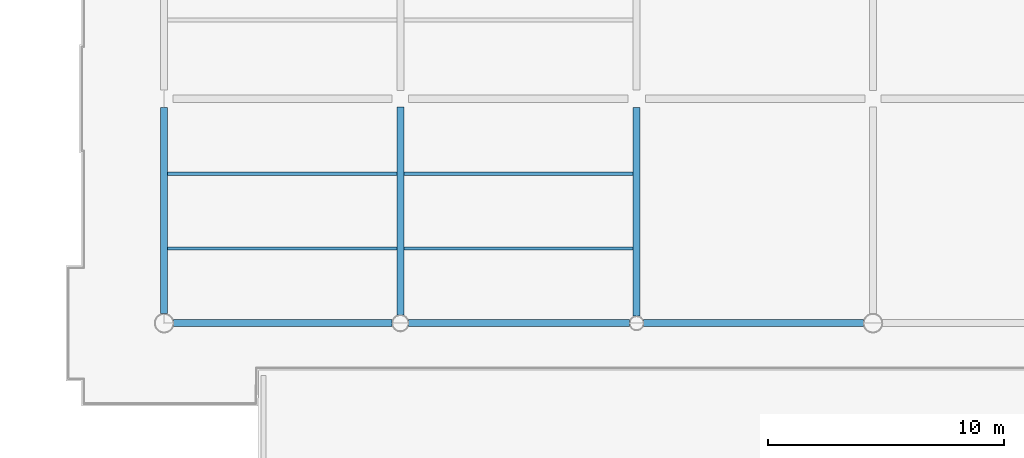
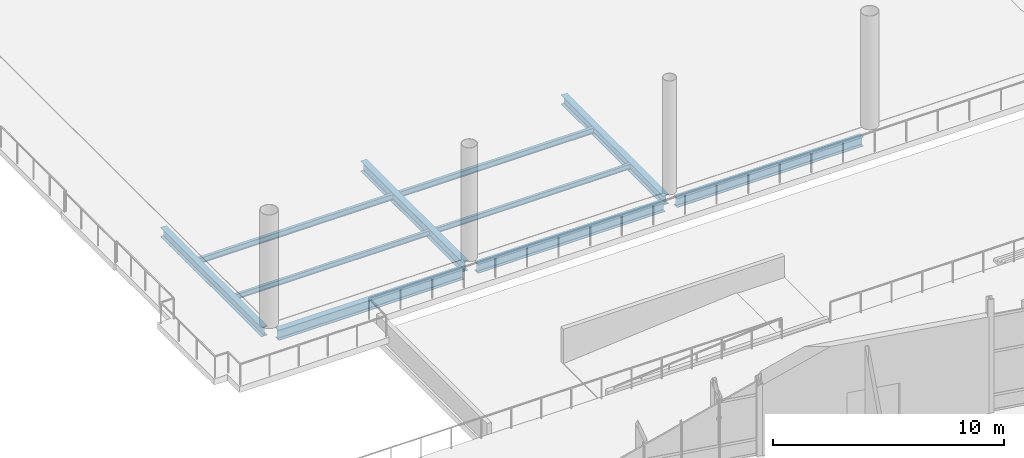
# One storey, part 58 of 163: 10 beams.
"""IFC4 building model written with IfcOpenShell, lengths in metres."""

from ifc_helpers import new_model, si_unit, direction, frame, origin, origin_2d, place, context, subcontext, project, spatial, i_section, extrude, material, material_profile, profile_set, type_object, element, save


model = new_model("IFC4")

# Units and contexts
model_context = context("Model", 3, precision=1e-05, world=origin(), true_north=direction((0.0, 1.0)))
body_context = subcontext(model_context, "Body", "Model", "MODEL_VIEW")
ifc_project = project(units=[si_unit("LENGTHUNIT", "METRE"), si_unit("AREAUNIT", "SQUARE_METRE"), si_unit("VOLUMEUNIT", "CUBIC_METRE"), si_unit("PLANEANGLEUNIT", "RADIAN"), si_unit("MASSUNIT", "GRAM", prefix="KILO")], contexts=[model_context])

# Site, building, storey
site_placement = place(None, origin())
site = spatial("IfcSite", under=ifc_project, at=site_placement, CompositionType="ELEMENT")
building_placement = place(site_placement, origin())
building = spatial("IfcBuilding", under=site, at=building_placement, Name="Khorjan Park Terminus", CompositionType="ELEMENT")
storey_placement = place(building_placement, origin())
storey = spatial("IfcBuildingStorey", under=building, at=storey_placement, Name="L00", CompositionType="ELEMENT", Elevation=0.0)

# Beams
ifc_material = material(Name="Steel S355", Category="steel")
ifc_material_profile_1 = material_profile(ifc_material, i_section(OverallWidth=0.3, OverallDepth=0.49, WebThickness=0.012, FlangeThickness=0.023, FilletRadius=0.027, at=origin_2d()), Name="HEA 500")
ifc_profile_set_1 = profile_set([ifc_material_profile_1], Name="Steel S355")
beam_type_1 = type_object("IfcBeamType", Name="BM-HEA500", PredefinedType="BEAM", material=ifc_profile_set_1)
beam_1_placement = place(storey_placement, frame((10.3505, 102.0, -0.665), z_axis=(1.0, 0.0, 0.0), x_axis=(0.0, 1.0, 0.0)))
element("IfcBeam", 1, at=beam_1_placement, inside=storey, type_object=beam_type_1, Name="Primary floor girder SB-A50 (L00)", PredefinedType="BEAM", context=body_context, shape_type="SweptSolid", body=[
    extrude(i_section(OverallWidth=0.3, OverallDepth=0.49, WebThickness=0.012, FlangeThickness=0.023, FilletRadius=0.027, at=origin_2d()), origin(), (0.0, 0.0, 1.0), 9.3495),
])
beam_2_placement = place(storey_placement, frame((20.0, 102.3, -0.665), z_axis=(0.0, 1.0, 0.0), x_axis=(-1.0, 0.0, 0.0)))
element("IfcBeam", 2, at=beam_2_placement, inside=storey, type_object=beam_type_1, Name="Primary floor girder SB-A50 (L00)", PredefinedType="BEAM", context=body_context, shape_type="SweptSolid", body=[
    extrude(i_section(OverallWidth=0.3, OverallDepth=0.49, WebThickness=0.012, FlangeThickness=0.023, FilletRadius=0.027, at=origin_2d()), origin(), (0.0, 0.0, 1.0), 8.83),
])
ifc_material_profile_2 = material_profile(ifc_material, i_section(OverallWidth=0.3, OverallDepth=0.5, WebThickness=0.0145, FlangeThickness=0.028, FilletRadius=0.027, at=origin_2d()), Name="HEB 500")
ifc_profile_set_2 = profile_set([ifc_material_profile_2], Name="Steel S355")
beam_type_2 = type_object("IfcBeamType", Name="BM-HEB500", PredefinedType="BEAM", material=ifc_profile_set_2)
beam_3_placement = place(storey_placement, frame((20.3, 102.0, -0.67), z_axis=(1.0, 0.0, 0.0), x_axis=(0.0, 1.0, 0.0)))
element("IfcBeam", 3, at=beam_3_placement, inside=storey, type_object=beam_type_2, Name="Primary floor girder SB-B50 (L00)", PredefinedType="BEAM", context=body_context, shape_type="SweptSolid", body=[
    extrude(i_section(OverallWidth=0.3, OverallDepth=0.5, WebThickness=0.0145, FlangeThickness=0.028, FilletRadius=0.027, at=origin_2d()), origin(), (0.0, 0.0, 1.0), 9.2985),
])
beam_4_placement = place(storey_placement, frame((0.0, 102.4015, -0.67), z_axis=(0.0, 1.0, 0.0), x_axis=(-1.0, 0.0, 0.0)))
element("IfcBeam", 4, at=beam_4_placement, inside=storey, type_object=beam_type_2, Name="Primary floor girder SB-B50 (L00)", PredefinedType="BEAM", context=body_context, shape_type="SweptSolid", body=[
    extrude(i_section(OverallWidth=0.3, OverallDepth=0.5, WebThickness=0.0145, FlangeThickness=0.028, FilletRadius=0.027, at=origin_2d()), origin(), (0.0, 0.0, 1.0), 8.7285),
])
ifc_material_profile_3 = material_profile(ifc_material, i_section(OverallWidth=0.3, OverallDepth=0.55, WebThickness=0.015, FlangeThickness=0.029, FilletRadius=0.027, at=origin_2d()), Name="HEB 550")
ifc_profile_set_3 = profile_set([ifc_material_profile_3], Name="Steel S355")
beam_type_3 = type_object("IfcBeamType", Name="BM-HEB550", PredefinedType="BEAM", material=ifc_profile_set_3)
beam_5_placement = place(storey_placement, frame((0.4015, 102.0, -0.695), z_axis=(1.0, 0.0, 0.0), x_axis=(0.0, 1.0, 0.0)))
element("IfcBeam", 5, at=beam_5_placement, inside=storey, type_object=beam_type_3, Name="Primary floor girder SB-B55 (L00)", PredefinedType="BEAM", context=body_context, shape_type="SweptSolid", body=[
    extrude(i_section(OverallWidth=0.3, OverallDepth=0.55, WebThickness=0.015, FlangeThickness=0.029, FilletRadius=0.027, at=origin_2d()), origin(), (0.0, 0.0, 1.0), 9.248),
])
beam_6_placement = place(storey_placement, frame((10.0, 102.3505, -0.695), z_axis=(0.0, 1.0, 0.0), x_axis=(-1.0, 0.0, 0.0)))
element("IfcBeam", 6, at=beam_6_placement, inside=storey, type_object=beam_type_3, Name="Primary floor girder SB-B55 (L00)", PredefinedType="BEAM", context=body_context, shape_type="SweptSolid", body=[
    extrude(i_section(OverallWidth=0.3, OverallDepth=0.55, WebThickness=0.015, FlangeThickness=0.029, FilletRadius=0.027, at=origin_2d()), origin(), (0.0, 0.0, 1.0), 8.8045),
])
ifc_material_profile_4 = material_profile(ifc_material, i_section(OverallWidth=0.135, OverallDepth=0.27, WebThickness=0.0066, FlangeThickness=0.0102, FilletRadius=0.015, at=origin_2d()), Name="IPE 270")
ifc_profile_set_4 = profile_set([ifc_material_profile_4], Name="Steel S355")
beam_type_4 = type_object("IfcBeamType", Name="JS-IPE270", PredefinedType="JOIST", material=ifc_profile_set_4)
for number, where, z_axis, x_axis, name in (
    (7, (0.15, 105.1667, -0.555), (1.0, 0.0, 0.0), (0.0, 1.0, 0.0), "Secondary composite floor joist SJ-27 (L00)"),
    (8, (10.15, 105.1667, -0.555), (1.0, 0.0, 0.0), (0.0, 1.0, 0.0), "Secondary composite floor joist SJ-27 (L00)"),
):
    element("IfcBeam", number, at=place(storey_placement, frame(where, z_axis=z_axis, x_axis=x_axis)), inside=storey, type_object=beam_type_4, Name=name, PredefinedType="JOIST", context=body_context, shape_type="SweptSolid", body=[
        extrude(i_section(OverallWidth=0.135, OverallDepth=0.27, WebThickness=0.0066, FlangeThickness=0.0102, FilletRadius=0.015, at=origin_2d()), origin(), (0.0, 0.0, 1.0), 9.7),
    ])
ifc_material_profile_5 = material_profile(ifc_material, i_section(OverallWidth=0.15, OverallDepth=0.3, WebThickness=0.0071, FlangeThickness=0.0107, FilletRadius=0.015, at=origin_2d()), Name="IPE 300")
ifc_profile_set_5 = profile_set([ifc_material_profile_5], Name="Steel S355")
beam_type_5 = type_object("IfcBeamType", Name="JS-IPE300", PredefinedType="JOIST", material=ifc_profile_set_5)
for number, where, z_axis, x_axis, name in (
    (9, (0.15, 108.3333, -0.57), (1.0, 0.0, 0.0), (0.0, 1.0, 0.0), "Secondary composite floor joist SJ-30 (L00)"),
    (10, (10.15, 108.3333, -0.57), (1.0, 0.0, 0.0), (0.0, 1.0, 0.0), "Secondary composite floor joist SJ-30 (L00)"),
):
    element("IfcBeam", number, at=place(storey_placement, frame(where, z_axis=z_axis, x_axis=x_axis)), inside=storey, type_object=beam_type_5, Name=name, PredefinedType="JOIST", context=body_context, shape_type="SweptSolid", body=[
        extrude(i_section(OverallWidth=0.15, OverallDepth=0.3, WebThickness=0.0071, FlangeThickness=0.0107, FilletRadius=0.015, at=origin_2d()), origin(), (0.0, 0.0, 1.0), 9.7),
    ])

save(model, "model.ifc")
